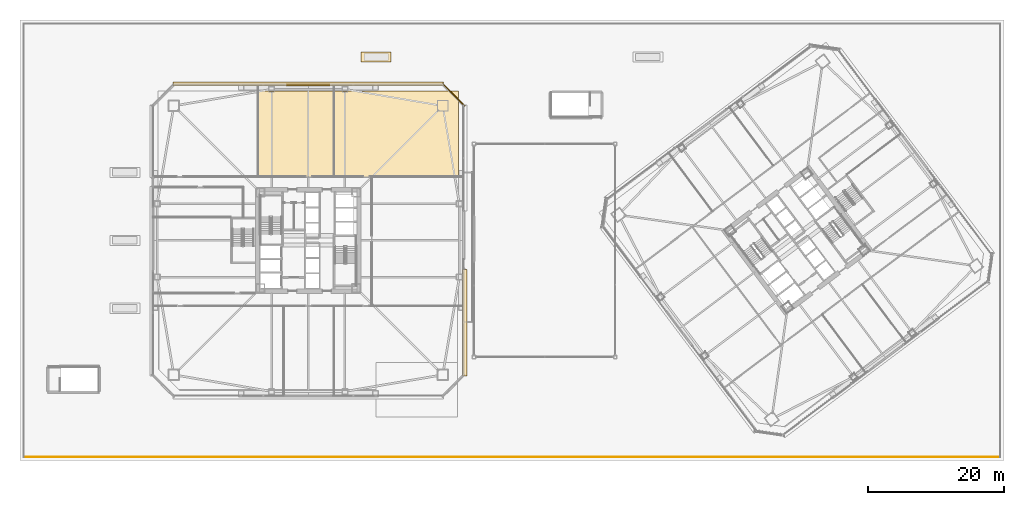
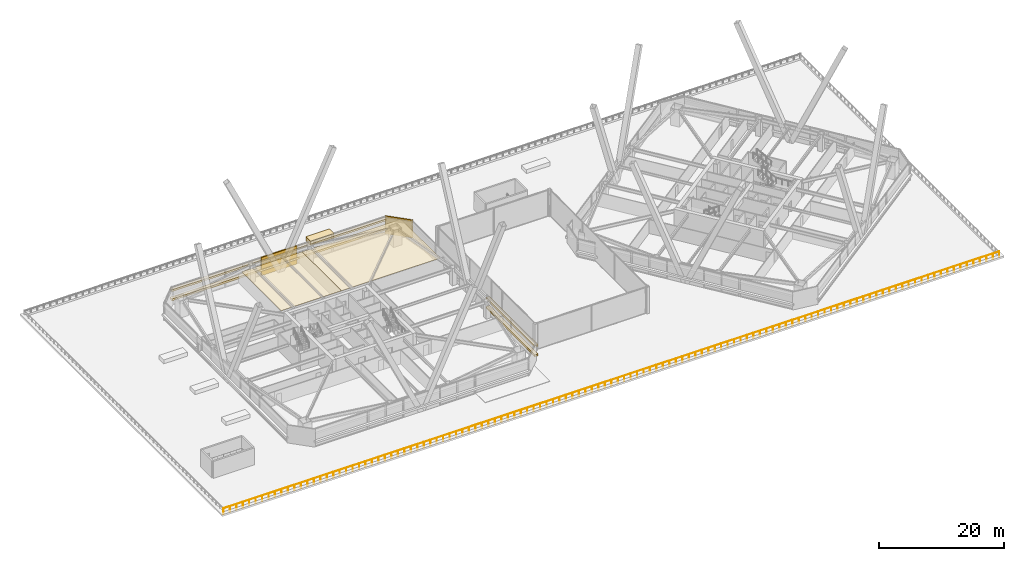
# One storey, part 76 of 83: 9 coverings, 1 railing.
"""IFC4 building model written with IfcOpenShell, lengths in metres."""

from ifc_helpers import new_model, si_unit, direction, frame, origin, origin_2d, place, context, subcontext, project, spatial, polyline, rectangle, outline, extrude, material, layer, layer_set, type_object, element, save


model = new_model("IFC4")

# Units and contexts
model_context = context("Model", 3, precision=1e-05, world=origin(), true_north=direction((0.0, 1.0)))
body_context = subcontext(model_context, "Body", "Model", "MODEL_VIEW")
ifc_project = project(units=[si_unit("LENGTHUNIT", "METRE"), si_unit("AREAUNIT", "SQUARE_METRE"), si_unit("VOLUMEUNIT", "CUBIC_METRE"), si_unit("PLANEANGLEUNIT", "RADIAN"), si_unit("MASSUNIT", "GRAM", prefix="KILO")], contexts=[model_context])

# Site, building, storey
site_placement = place(None, origin())
site = spatial("IfcSite", under=ifc_project, at=site_placement, CompositionType="ELEMENT")
building_placement = place(site_placement, origin())
building = spatial("IfcBuilding", under=site, at=building_placement, Name="Tashvorn Skyway Center", CompositionType="ELEMENT")
storey_placement = place(building_placement, frame((0.0, 0.0, 24.60009765625)))
storey = spatial("IfcBuildingStorey", under=building, at=storey_placement, Name="L05", CompositionType="ELEMENT", Elevation=24.60009765625)

# Coverings
ifc_material_1 = material(Name="Precast concrete C40/50", Category="concrete")
ifc_layer_1 = layer(ifc_material_1, 0.199951171875)
ifc_layer_set_1 = layer_set([ifc_layer_1], Name="Precast concrete C40/50")
covering_type_1 = type_object("IfcCoveringType", Name="COV-BRACE-CLAD", PredefinedType="CLADDING", material=ifc_layer_set_1)
covering_1_placement = place(storey_placement, frame((42.0, 54.8798828125, 0.0), z_axis=(0.0, 0.0, 1.0), x_axis=(1.0, 0.0, 0.0)))
element("IfcCovering", 1, at=covering_1_placement, inside=storey, type_object=covering_type_1, Name="Tower 1 L05 North Unitised Curtain Wall Mega-Brace Cladding Band 1", PredefinedType="CLADDING", context=body_context, shape_type="SweptSolid", body=[
    extrude(rectangle(XDim=6.626708984375, YDim=0.199951171875, at=origin_2d()), origin(), (0.0, 0.0, 1.0), 3.550048828125),
])
ifc_material_2 = material(Name="Mineral-fibre acoustic ceiling tile on suspended grid")
ifc_layer_2 = layer(ifc_material_2, 0.02001953125)
ifc_layer_set_2 = layer_set([ifc_layer_2], Name="Mineral-fibre acoustic ceiling tile on suspended grid")
covering_type_2 = type_object("IfcCoveringType", Name="COV-CEIL-20", PredefinedType="CEILING", material=ifc_layer_set_2)
covering_2_placement = place(storey_placement, frame((0.0, 0.0, 2.682861328125)))
element("IfcCovering", 2, at=covering_2_placement, inside=storey, type_object=covering_type_2, Name="Tower 1 L05 Open Plan Office Acoustic Ceiling", PredefinedType="CEILING", context=body_context, shape_type="SweptSolid", body=[
    extrude(outline(polyline([(34.60009765625, 41.35009765625), (45.800048828125, 41.35009765625), (45.800048828125, 54.0), (34.60009765625, 54.0), (34.60009765625, 41.35009765625)])), origin(), (0.0, 0.0, 1.0), 0.02001953125),
])
covering_3_placement = place(storey_placement, frame((0.0, 0.0, 2.682861328125)))
element("IfcCovering", 3, at=covering_3_placement, inside=storey, type_object=covering_type_2, Name="Tower 1 L05 Catering Pantry Acoustic Ceiling", PredefinedType="CEILING", context=body_context, shape_type="SweptSolid", body=[
    extrude(outline(polyline([(45.800048828125, 41.35009765625), (64.10009765625, 41.35009765625), (64.10009765625, 54.0), (45.800048828125, 54.0), (45.800048828125, 41.35009765625)])), origin(), (0.0, 0.0, 1.0), 0.02001953125),
])
ifc_material_3 = material(Name="Perforated ceramic-coated bronze aluminium solar screen", Category="aluminium")
ifc_layer_3 = layer(ifc_material_3, 0.85009765625)
ifc_layer_set_3 = layer_set([ifc_layer_3], Name="Perforated ceramic-coated bronze aluminium solar screen")
covering_type_3 = type_object("IfcCoveringType", Name="COV-SOLAR-BAND", PredefinedType="CLADDING", material=ifc_layer_set_3)
for number, where, z_axis, x_axis, name in (
    (4, (42.0, 55.02001953125, 0.919921875), (0.0, 0.0, 1.0), (1.0, 0.0, 0.0), "L05 Perforated Ceramic-Metal Solar Screen Louvre Band North 1"),
    (5, (42.0, 55.02001953125, 2.7197265625), (0.0, 0.0, 1.0), (1.0, 0.0, 0.0), "L05 Perforated Ceramic-Metal Solar Screen Louvre Band North 2"),
):
    element("IfcCovering", number, at=place(storey_placement, frame(where, z_axis=z_axis, x_axis=x_axis)), inside=storey, type_object=covering_type_3, Name=name, PredefinedType="CLADDING", context=body_context, shape_type="SweptSolid", body=[
        extrude(rectangle(XDim=39.8798828125, YDim=0.639892578125, at=origin_2d()), origin(), (0.0, 0.0, 1.0), 0.360107421875),
    ])
for number, where, z_axis, x_axis, name in (
    (6, (65.02001953125, 19.885009765625, 0.919921875), (0.0, 0.0, 1.0), (0.0, -1.0, 0.0), "L05 Perforated Ceramic-Metal Solar Screen Louvre Band East 1"),
    (7, (65.02001953125, 19.885009765625, 2.7197265625), (0.0, 0.0, 1.0), (0.0, -1.0, 0.0), "L05 Perforated Ceramic-Metal Solar Screen Louvre Band East 2"),
):
    element("IfcCovering", number, at=place(storey_placement, frame(where, z_axis=z_axis, x_axis=x_axis)), inside=storey, type_object=covering_type_3, Name=name, PredefinedType="CLADDING", context=body_context, shape_type="SweptSolid", body=[
        extrude(rectangle(XDim=15.64990234375, YDim=0.639892578125, at=origin_2d()), origin(), (0.0, 0.0, 1.0), 0.360107421875),
    ])
ifc_layer_4 = layer(ifc_material_1, 0.35009765625)
ifc_layer_set_4 = layer_set([ifc_layer_4], Name="Precast concrete C40/50")
covering_type_4 = type_object("IfcCoveringType", Name="COV-STONE-TRIM", PredefinedType="CLADDING", material=ifc_layer_set_4)
covering_4_placement = place(storey_placement, frame((52.0, 59.0, 0.0), z_axis=(0.0, 0.0, 1.0), x_axis=(1.0, 0.0, 0.0)))
element("IfcCovering", 8, at=covering_4_placement, inside=storey, type_object=covering_type_4, Name="L05 Podium Roof Garden Stone Planter Kerb 4", PredefinedType="CLADDING", context=body_context, shape_type="SweptSolid", body=[
    extrude(rectangle(XDim=4.39990234375, YDim=1.5, at=origin_2d()), origin(), (0.0, 0.0, 1.0), 0.760009765625),
])
covering_5_placement = place(storey_placement, frame((63.419921875, 53.419921875, 0.02001953125), z_axis=(0.0, 0.0, 1.0), x_axis=(0.707106781187, -0.707106781187, 0.0)))
element("IfcCovering", 9, at=covering_5_placement, inside=storey, type_object=covering_type_4, Name="Tower 1 L05 NE Mojave Limestone Corner Quoin", PredefinedType="CLADDING", context=body_context, shape_type="SweptSolid", body=[
    extrude(rectangle(XDim=4.685546875, YDim=0.139892578125, at=origin_2d()), origin(), (0.0, 0.0, 1.0), 3.510009765625),
])

# Railing
ifc_material_4 = material(Name="Galvanized steel S355", Category="steel")
railing_type = type_object("IfcRailingType", Name="RAIL-GUARD-1120", PredefinedType="GUARDRAIL", material=ifc_material_4)
railing_placement = place(storey_placement, frame((0.10009765625, 0.10009765625, 0.0)))
element("IfcRailing", 10, at=railing_placement, inside=storey, type_object=railing_type, Name="L05 Podium Roof Garden Perimeter Guardrail 01", PredefinedType="GUARDRAIL", context=body_context, shape_type="SweptSolid", body=[
    extrude(rectangle(XDim=0.048095703125, YDim=0.048095703125, at=origin_2d()), frame((0.0, 0.0, 1.09619140625), z_axis=(1.0, 0.0, 0.0), x_axis=(0.0, 1.0, 0.0)), (0.0, 0.0, 1.0), 143.7998046875),
    extrude(rectangle(XDim=0.0419921875, YDim=0.0419921875, at=origin_2d()), origin(), (0.0, 0.0, 1.0), 1.072021484375),
    extrude(rectangle(XDim=0.0419921875, YDim=0.0419921875, at=origin_2d()), frame((1.1982421875, 0.0, 0.0)), (0.0, 0.0, 1.0), 1.072021484375),
    extrude(rectangle(XDim=0.0419921875, YDim=0.0419921875, at=origin_2d()), frame((2.396728515625, 0.0, 0.0)), (0.0, 0.0, 1.0), 1.072021484375),
    extrude(rectangle(XDim=0.0419921875, YDim=0.0419921875, at=origin_2d()), frame((3.594970703125, 0.0, 0.0)), (0.0, 0.0, 1.0), 1.072021484375),
    extrude(rectangle(XDim=0.0419921875, YDim=0.0419921875, at=origin_2d()), frame((4.793212890625, 0.0, 0.0)), (0.0, 0.0, 1.0), 1.072021484375),
    extrude(rectangle(XDim=0.0419921875, YDim=0.0419921875, at=origin_2d()), frame((5.99169921875, 0.0, 0.0)), (0.0, 0.0, 1.0), 1.072021484375),
    extrude(rectangle(XDim=0.0419921875, YDim=0.0419921875, at=origin_2d()), frame((7.18994140625, 0.0, 0.0)), (0.0, 0.0, 1.0), 1.072021484375),
    extrude(rectangle(XDim=0.0419921875, YDim=0.0419921875, at=origin_2d()), frame((8.388427734375, 0.0, 0.0)), (0.0, 0.0, 1.0), 1.072021484375),
    extrude(rectangle(XDim=0.0419921875, YDim=0.0419921875, at=origin_2d()), frame((9.586669921875, 0.0, 0.0)), (0.0, 0.0, 1.0), 1.072021484375),
    extrude(rectangle(XDim=0.0419921875, YDim=0.0419921875, at=origin_2d()), frame((10.784912109375, 0.0, 0.0)), (0.0, 0.0, 1.0), 1.072021484375),
    extrude(rectangle(XDim=0.0419921875, YDim=0.0419921875, at=origin_2d()), frame((11.9833984375, 0.0, 0.0)), (0.0, 0.0, 1.0), 1.072021484375),
    extrude(rectangle(XDim=0.0419921875, YDim=0.0419921875, at=origin_2d()), frame((13.181640625, 0.0, 0.0)), (0.0, 0.0, 1.0), 1.072021484375),
    extrude(rectangle(XDim=0.0419921875, YDim=0.0419921875, at=origin_2d()), frame((14.3798828125, 0.0, 0.0)), (0.0, 0.0, 1.0), 1.072021484375),
    extrude(rectangle(XDim=0.0419921875, YDim=0.0419921875, at=origin_2d()), frame((15.578369140625, 0.0, 0.0)), (0.0, 0.0, 1.0), 1.072021484375),
    extrude(rectangle(XDim=0.0419921875, YDim=0.0419921875, at=origin_2d()), frame((16.776611328125, 0.0, 0.0)), (0.0, 0.0, 1.0), 1.072021484375),
    extrude(rectangle(XDim=0.0419921875, YDim=0.0419921875, at=origin_2d()), frame((17.97509765625, 0.0, 0.0)), (0.0, 0.0, 1.0), 1.072021484375),
    extrude(rectangle(XDim=0.0419921875, YDim=0.0419921875, at=origin_2d()), frame((19.17333984375, 0.0, 0.0)), (0.0, 0.0, 1.0), 1.072021484375),
    extrude(rectangle(XDim=0.0419921875, YDim=0.0419921875, at=origin_2d()), frame((20.37158203125, 0.0, 0.0)), (0.0, 0.0, 1.0), 1.072021484375),
    extrude(rectangle(XDim=0.0419921875, YDim=0.0419921875, at=origin_2d()), frame((21.570068359375, 0.0, 0.0)), (0.0, 0.0, 1.0), 1.072021484375),
    extrude(rectangle(XDim=0.0419921875, YDim=0.0419921875, at=origin_2d()), frame((22.768310546875, 0.0, 0.0)), (0.0, 0.0, 1.0), 1.072021484375),
    extrude(rectangle(XDim=0.0419921875, YDim=0.0419921875, at=origin_2d()), frame((23.966552734375, 0.0, 0.0)), (0.0, 0.0, 1.0), 1.072021484375),
    extrude(rectangle(XDim=0.0419921875, YDim=0.0419921875, at=origin_2d()), frame((25.1650390625, 0.0, 0.0)), (0.0, 0.0, 1.0), 1.072021484375),
    extrude(rectangle(XDim=0.0419921875, YDim=0.0419921875, at=origin_2d()), frame((26.36328125, 0.0, 0.0)), (0.0, 0.0, 1.0), 1.072021484375),
    extrude(rectangle(XDim=0.0419921875, YDim=0.0419921875, at=origin_2d()), frame((27.5615234375, 0.0, 0.0)), (0.0, 0.0, 1.0), 1.072021484375),
    extrude(rectangle(XDim=0.0419921875, YDim=0.0419921875, at=origin_2d()), frame((28.760009765625, 0.0, 0.0)), (0.0, 0.0, 1.0), 1.072021484375),
    extrude(rectangle(XDim=0.0419921875, YDim=0.0419921875, at=origin_2d()), frame((29.958251953125, 0.0, 0.0)), (0.0, 0.0, 1.0), 1.072021484375),
    extrude(rectangle(XDim=0.0419921875, YDim=0.0419921875, at=origin_2d()), frame((31.15673828125, 0.0, 0.0)), (0.0, 0.0, 1.0), 1.072021484375),
    extrude(rectangle(XDim=0.0419921875, YDim=0.0419921875, at=origin_2d()), frame((32.35498046875, 0.0, 0.0)), (0.0, 0.0, 1.0), 1.072021484375),
    extrude(rectangle(XDim=0.0419921875, YDim=0.0419921875, at=origin_2d()), frame((33.55322265625, 0.0, 0.0)), (0.0, 0.0, 1.0), 1.072021484375),
    extrude(rectangle(XDim=0.0419921875, YDim=0.0419921875, at=origin_2d()), frame((34.751708984375, 0.0, 0.0)), (0.0, 0.0, 1.0), 1.072021484375),
    extrude(rectangle(XDim=0.0419921875, YDim=0.0419921875, at=origin_2d()), frame((35.949951171875, 0.0, 0.0)), (0.0, 0.0, 1.0), 1.072021484375),
    extrude(rectangle(XDim=0.0419921875, YDim=0.0419921875, at=origin_2d()), frame((37.148193359375, 0.0, 0.0)), (0.0, 0.0, 1.0), 1.072021484375),
    extrude(rectangle(XDim=0.0419921875, YDim=0.0419921875, at=origin_2d()), frame((38.3466796875, 0.0, 0.0)), (0.0, 0.0, 1.0), 1.072021484375),
    extrude(rectangle(XDim=0.0419921875, YDim=0.0419921875, at=origin_2d()), frame((39.544921875, 0.0, 0.0)), (0.0, 0.0, 1.0), 1.072021484375),
    extrude(rectangle(XDim=0.0419921875, YDim=0.0419921875, at=origin_2d()), frame((40.7431640625, 0.0, 0.0)), (0.0, 0.0, 1.0), 1.072021484375),
    extrude(rectangle(XDim=0.0419921875, YDim=0.0419921875, at=origin_2d()), frame((41.941650390625, 0.0, 0.0)), (0.0, 0.0, 1.0), 1.072021484375),
    extrude(rectangle(XDim=0.0419921875, YDim=0.0419921875, at=origin_2d()), frame((43.139892578125, 0.0, 0.0)), (0.0, 0.0, 1.0), 1.072021484375),
    extrude(rectangle(XDim=0.0419921875, YDim=0.0419921875, at=origin_2d()), frame((44.33837890625, 0.0, 0.0)), (0.0, 0.0, 1.0), 1.072021484375),
    extrude(rectangle(XDim=0.0419921875, YDim=0.0419921875, at=origin_2d()), frame((45.53662109375, 0.0, 0.0)), (0.0, 0.0, 1.0), 1.072021484375),
    extrude(rectangle(XDim=0.0419921875, YDim=0.0419921875, at=origin_2d()), frame((46.73486328125, 0.0, 0.0)), (0.0, 0.0, 1.0), 1.072021484375),
    extrude(rectangle(XDim=0.0419921875, YDim=0.0419921875, at=origin_2d()), frame((47.933349609375, 0.0, 0.0)), (0.0, 0.0, 1.0), 1.072021484375),
    extrude(rectangle(XDim=0.0419921875, YDim=0.0419921875, at=origin_2d()), frame((49.131591796875, 0.0, 0.0)), (0.0, 0.0, 1.0), 1.072021484375),
    extrude(rectangle(XDim=0.0419921875, YDim=0.0419921875, at=origin_2d()), frame((50.329833984375, 0.0, 0.0)), (0.0, 0.0, 1.0), 1.072021484375),
    extrude(rectangle(XDim=0.0419921875, YDim=0.0419921875, at=origin_2d()), frame((51.5283203125, 0.0, 0.0)), (0.0, 0.0, 1.0), 1.072021484375),
    extrude(rectangle(XDim=0.0419921875, YDim=0.0419921875, at=origin_2d()), frame((52.7265625, 0.0, 0.0)), (0.0, 0.0, 1.0), 1.072021484375),
    extrude(rectangle(XDim=0.0419921875, YDim=0.0419921875, at=origin_2d()), frame((53.9248046875, 0.0, 0.0)), (0.0, 0.0, 1.0), 1.072021484375),
    extrude(rectangle(XDim=0.0419921875, YDim=0.0419921875, at=origin_2d()), frame((55.123291015625, 0.0, 0.0)), (0.0, 0.0, 1.0), 1.072021484375),
    extrude(rectangle(XDim=0.0419921875, YDim=0.0419921875, at=origin_2d()), frame((56.321533203125, 0.0, 0.0)), (0.0, 0.0, 1.0), 1.072021484375),
    extrude(rectangle(XDim=0.0419921875, YDim=0.0419921875, at=origin_2d()), frame((57.52001953125, 0.0, 0.0)), (0.0, 0.0, 1.0), 1.072021484375),
    extrude(rectangle(XDim=0.0419921875, YDim=0.0419921875, at=origin_2d()), frame((58.71826171875, 0.0, 0.0)), (0.0, 0.0, 1.0), 1.072021484375),
    extrude(rectangle(XDim=0.0419921875, YDim=0.0419921875, at=origin_2d()), frame((59.91650390625, 0.0, 0.0)), (0.0, 0.0, 1.0), 1.072021484375),
    extrude(rectangle(XDim=0.0419921875, YDim=0.0419921875, at=origin_2d()), frame((61.114990234375, 0.0, 0.0)), (0.0, 0.0, 1.0), 1.072021484375),
    extrude(rectangle(XDim=0.0419921875, YDim=0.0419921875, at=origin_2d()), frame((62.313232421875, 0.0, 0.0)), (0.0, 0.0, 1.0), 1.072021484375),
    extrude(rectangle(XDim=0.0419921875, YDim=0.0419921875, at=origin_2d()), frame((63.511474609375, 0.0, 0.0)), (0.0, 0.0, 1.0), 1.072021484375),
    extrude(rectangle(XDim=0.0419921875, YDim=0.0419921875, at=origin_2d()), frame((64.7099609375, 0.0, 0.0)), (0.0, 0.0, 1.0), 1.072021484375),
    extrude(rectangle(XDim=0.0419921875, YDim=0.0419921875, at=origin_2d()), frame((65.908203125, 0.0, 0.0)), (0.0, 0.0, 1.0), 1.072021484375),
    extrude(rectangle(XDim=0.0419921875, YDim=0.0419921875, at=origin_2d()), frame((67.106689453125, 0.0, 0.0)), (0.0, 0.0, 1.0), 1.072021484375),
    extrude(rectangle(XDim=0.0419921875, YDim=0.0419921875, at=origin_2d()), frame((68.304931640625, 0.0, 0.0)), (0.0, 0.0, 1.0), 1.072021484375),
    extrude(rectangle(XDim=0.0419921875, YDim=0.0419921875, at=origin_2d()), frame((69.503173828125, 0.0, 0.0)), (0.0, 0.0, 1.0), 1.072021484375),
    extrude(rectangle(XDim=0.0419921875, YDim=0.0419921875, at=origin_2d()), frame((70.70166015625, 0.0, 0.0)), (0.0, 0.0, 1.0), 1.072021484375),
    extrude(rectangle(XDim=0.0419921875, YDim=0.0419921875, at=origin_2d()), frame((71.89990234375, 0.0, 0.0)), (0.0, 0.0, 1.0), 1.072021484375),
    extrude(rectangle(XDim=0.0419921875, YDim=0.0419921875, at=origin_2d()), frame((73.09814453125, 0.0, 0.0)), (0.0, 0.0, 1.0), 1.072021484375),
    extrude(rectangle(XDim=0.0419921875, YDim=0.0419921875, at=origin_2d()), frame((74.296630859375, 0.0, 0.0)), (0.0, 0.0, 1.0), 1.072021484375),
    extrude(rectangle(XDim=0.0419921875, YDim=0.0419921875, at=origin_2d()), frame((75.494873046875, 0.0, 0.0)), (0.0, 0.0, 1.0), 1.072021484375),
    extrude(rectangle(XDim=0.0419921875, YDim=0.0419921875, at=origin_2d()), frame((76.693115234375, 0.0, 0.0)), (0.0, 0.0, 1.0), 1.072021484375),
    extrude(rectangle(XDim=0.0419921875, YDim=0.0419921875, at=origin_2d()), frame((77.8916015625, 0.0, 0.0)), (0.0, 0.0, 1.0), 1.072021484375),
    extrude(rectangle(XDim=0.0419921875, YDim=0.0419921875, at=origin_2d()), frame((79.08984375, 0.0, 0.0)), (0.0, 0.0, 1.0), 1.072021484375),
    extrude(rectangle(XDim=0.0419921875, YDim=0.0419921875, at=origin_2d()), frame((80.288330078125, 0.0, 0.0)), (0.0, 0.0, 1.0), 1.072021484375),
    extrude(rectangle(XDim=0.0419921875, YDim=0.0419921875, at=origin_2d()), frame((81.486572265625, 0.0, 0.0)), (0.0, 0.0, 1.0), 1.072021484375),
    extrude(rectangle(XDim=0.0419921875, YDim=0.0419921875, at=origin_2d()), frame((82.684814453125, 0.0, 0.0)), (0.0, 0.0, 1.0), 1.072021484375),
    extrude(rectangle(XDim=0.0419921875, YDim=0.0419921875, at=origin_2d()), frame((83.88330078125, 0.0, 0.0)), (0.0, 0.0, 1.0), 1.072021484375),
    extrude(rectangle(XDim=0.0419921875, YDim=0.0419921875, at=origin_2d()), frame((85.08154296875, 0.0, 0.0)), (0.0, 0.0, 1.0), 1.072021484375),
    extrude(rectangle(XDim=0.0419921875, YDim=0.0419921875, at=origin_2d()), frame((86.27978515625, 0.0, 0.0)), (0.0, 0.0, 1.0), 1.072021484375),
    extrude(rectangle(XDim=0.0419921875, YDim=0.0419921875, at=origin_2d()), frame((87.478271484375, 0.0, 0.0)), (0.0, 0.0, 1.0), 1.072021484375),
    extrude(rectangle(XDim=0.0419921875, YDim=0.0419921875, at=origin_2d()), frame((88.676513671875, 0.0, 0.0)), (0.0, 0.0, 1.0), 1.072021484375),
    extrude(rectangle(XDim=0.0419921875, YDim=0.0419921875, at=origin_2d()), frame((89.875, 0.0, 0.0)), (0.0, 0.0, 1.0), 1.072021484375),
    extrude(rectangle(XDim=0.0419921875, YDim=0.0419921875, at=origin_2d()), frame((91.0732421875, 0.0, 0.0)), (0.0, 0.0, 1.0), 1.072021484375),
    extrude(rectangle(XDim=0.0419921875, YDim=0.0419921875, at=origin_2d()), frame((92.271484375, 0.0, 0.0)), (0.0, 0.0, 1.0), 1.072021484375),
    extrude(rectangle(XDim=0.0419921875, YDim=0.0419921875, at=origin_2d()), frame((93.469970703125, 0.0, 0.0)), (0.0, 0.0, 1.0), 1.072021484375),
    extrude(rectangle(XDim=0.0419921875, YDim=0.0419921875, at=origin_2d()), frame((94.668212890625, 0.0, 0.0)), (0.0, 0.0, 1.0), 1.072021484375),
    extrude(rectangle(XDim=0.0419921875, YDim=0.0419921875, at=origin_2d()), frame((95.866455078125, 0.0, 0.0)), (0.0, 0.0, 1.0), 1.072021484375),
    extrude(rectangle(XDim=0.0419921875, YDim=0.0419921875, at=origin_2d()), frame((97.06494140625, 0.0, 0.0)), (0.0, 0.0, 1.0), 1.072021484375),
    extrude(rectangle(XDim=0.0419921875, YDim=0.0419921875, at=origin_2d()), frame((98.26318359375, 0.0, 0.0)), (0.0, 0.0, 1.0), 1.072021484375),
    extrude(rectangle(XDim=0.0419921875, YDim=0.0419921875, at=origin_2d()), frame((99.46142578125, 0.0, 0.0)), (0.0, 0.0, 1.0), 1.072021484375),
    extrude(rectangle(XDim=0.0419921875, YDim=0.0419921875, at=origin_2d()), frame((100.659912109375, 0.0, 0.0)), (0.0, 0.0, 1.0), 1.072021484375),
    extrude(rectangle(XDim=0.0419921875, YDim=0.0419921875, at=origin_2d()), frame((101.858154296875, 0.0, 0.0)), (0.0, 0.0, 1.0), 1.072021484375),
    extrude(rectangle(XDim=0.0419921875, YDim=0.0419921875, at=origin_2d()), frame((103.056640625, 0.0, 0.0)), (0.0, 0.0, 1.0), 1.072021484375),
    extrude(rectangle(XDim=0.0419921875, YDim=0.0419921875, at=origin_2d()), frame((104.2548828125, 0.0, 0.0)), (0.0, 0.0, 1.0), 1.072021484375),
    extrude(rectangle(XDim=0.0419921875, YDim=0.0419921875, at=origin_2d()), frame((105.453125, 0.0, 0.0)), (0.0, 0.0, 1.0), 1.072021484375),
    extrude(rectangle(XDim=0.0419921875, YDim=0.0419921875, at=origin_2d()), frame((106.651611328125, 0.0, 0.0)), (0.0, 0.0, 1.0), 1.072021484375),
    extrude(rectangle(XDim=0.0419921875, YDim=0.0419921875, at=origin_2d()), frame((107.849853515625, 0.0, 0.0)), (0.0, 0.0, 1.0), 1.072021484375),
    extrude(rectangle(XDim=0.0419921875, YDim=0.0419921875, at=origin_2d()), frame((109.048095703125, 0.0, 0.0)), (0.0, 0.0, 1.0), 1.072021484375),
    extrude(rectangle(XDim=0.0419921875, YDim=0.0419921875, at=origin_2d()), frame((110.24658203125, 0.0, 0.0)), (0.0, 0.0, 1.0), 1.072021484375),
    extrude(rectangle(XDim=0.0419921875, YDim=0.0419921875, at=origin_2d()), frame((111.44482421875, 0.0, 0.0)), (0.0, 0.0, 1.0), 1.072021484375),
    extrude(rectangle(XDim=0.0419921875, YDim=0.0419921875, at=origin_2d()), frame((112.64306640625, 0.0, 0.0)), (0.0, 0.0, 1.0), 1.072021484375),
    extrude(rectangle(XDim=0.0419921875, YDim=0.0419921875, at=origin_2d()), frame((113.841552734375, 0.0, 0.0)), (0.0, 0.0, 1.0), 1.072021484375),
    extrude(rectangle(XDim=0.0419921875, YDim=0.0419921875, at=origin_2d()), frame((115.039794921875, 0.0, 0.0)), (0.0, 0.0, 1.0), 1.072021484375),
    extrude(rectangle(XDim=0.0419921875, YDim=0.0419921875, at=origin_2d()), frame((116.23828125, 0.0, 0.0)), (0.0, 0.0, 1.0), 1.072021484375),
    extrude(rectangle(XDim=0.0419921875, YDim=0.0419921875, at=origin_2d()), frame((117.4365234375, 0.0, 0.0)), (0.0, 0.0, 1.0), 1.072021484375),
    extrude(rectangle(XDim=0.0419921875, YDim=0.0419921875, at=origin_2d()), frame((118.634765625, 0.0, 0.0)), (0.0, 0.0, 1.0), 1.072021484375),
    extrude(rectangle(XDim=0.0419921875, YDim=0.0419921875, at=origin_2d()), frame((119.833251953125, 0.0, 0.0)), (0.0, 0.0, 1.0), 1.072021484375),
    extrude(rectangle(XDim=0.0419921875, YDim=0.0419921875, at=origin_2d()), frame((121.031494140625, 0.0, 0.0)), (0.0, 0.0, 1.0), 1.072021484375),
    extrude(rectangle(XDim=0.0419921875, YDim=0.0419921875, at=origin_2d()), frame((122.229736328125, 0.0, 0.0)), (0.0, 0.0, 1.0), 1.072021484375),
    extrude(rectangle(XDim=0.0419921875, YDim=0.0419921875, at=origin_2d()), frame((123.42822265625, 0.0, 0.0)), (0.0, 0.0, 1.0), 1.072021484375),
    extrude(rectangle(XDim=0.0419921875, YDim=0.0419921875, at=origin_2d()), frame((124.62646484375, 0.0, 0.0)), (0.0, 0.0, 1.0), 1.072021484375),
    extrude(rectangle(XDim=0.0419921875, YDim=0.0419921875, at=origin_2d()), frame((125.82470703125, 0.0, 0.0)), (0.0, 0.0, 1.0), 1.072021484375),
    extrude(rectangle(XDim=0.0419921875, YDim=0.0419921875, at=origin_2d()), frame((127.023193359375, 0.0, 0.0)), (0.0, 0.0, 1.0), 1.072021484375),
    extrude(rectangle(XDim=0.0419921875, YDim=0.0419921875, at=origin_2d()), frame((128.221435546875, 0.0, 0.0)), (0.0, 0.0, 1.0), 1.072021484375),
    extrude(rectangle(XDim=0.0419921875, YDim=0.0419921875, at=origin_2d()), frame((129.419921875, 0.0, 0.0)), (0.0, 0.0, 1.0), 1.072021484375),
    extrude(rectangle(XDim=0.0419921875, YDim=0.0419921875, at=origin_2d()), frame((130.6181640625, 0.0, 0.0)), (0.0, 0.0, 1.0), 1.072021484375),
    extrude(rectangle(XDim=0.0419921875, YDim=0.0419921875, at=origin_2d()), frame((131.81640625, 0.0, 0.0)), (0.0, 0.0, 1.0), 1.072021484375),
    extrude(rectangle(XDim=0.0419921875, YDim=0.0419921875, at=origin_2d()), frame((133.014892578125, 0.0, 0.0)), (0.0, 0.0, 1.0), 1.072021484375),
    extrude(rectangle(XDim=0.0419921875, YDim=0.0419921875, at=origin_2d()), frame((134.213134765625, 0.0, 0.0)), (0.0, 0.0, 1.0), 1.072021484375),
    extrude(rectangle(XDim=0.0419921875, YDim=0.0419921875, at=origin_2d()), frame((135.411376953125, 0.0, 0.0)), (0.0, 0.0, 1.0), 1.072021484375),
    extrude(rectangle(XDim=0.0419921875, YDim=0.0419921875, at=origin_2d()), frame((136.60986328125, 0.0, 0.0)), (0.0, 0.0, 1.0), 1.072021484375),
    extrude(rectangle(XDim=0.0419921875, YDim=0.0419921875, at=origin_2d()), frame((137.80810546875, 0.0, 0.0)), (0.0, 0.0, 1.0), 1.072021484375),
    extrude(rectangle(XDim=0.0419921875, YDim=0.0419921875, at=origin_2d()), frame((139.006591796875, 0.0, 0.0)), (0.0, 0.0, 1.0), 1.072021484375),
    extrude(rectangle(XDim=0.0419921875, YDim=0.0419921875, at=origin_2d()), frame((140.204833984375, 0.0, 0.0)), (0.0, 0.0, 1.0), 1.072021484375),
    extrude(rectangle(XDim=0.0419921875, YDim=0.0419921875, at=origin_2d()), frame((141.403076171875, 0.0, 0.0)), (0.0, 0.0, 1.0), 1.072021484375),
    extrude(rectangle(XDim=0.0419921875, YDim=0.0419921875, at=origin_2d()), frame((142.6015625, 0.0, 0.0)), (0.0, 0.0, 1.0), 1.072021484375),
    extrude(rectangle(XDim=0.0419921875, YDim=0.0419921875, at=origin_2d()), frame((143.7998046875, 0.0, 0.0)), (0.0, 0.0, 1.0), 1.072021484375),
])

save(model, "model.ifc")
